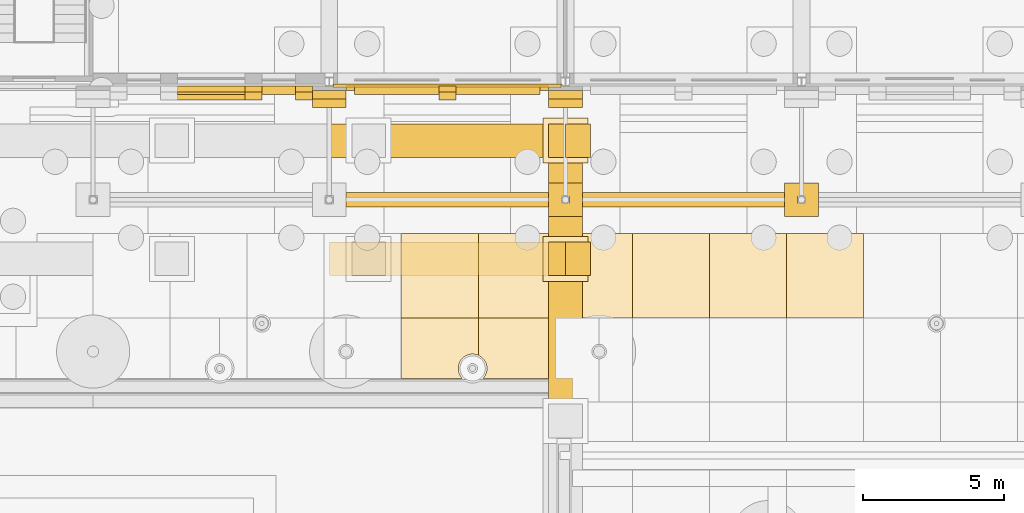
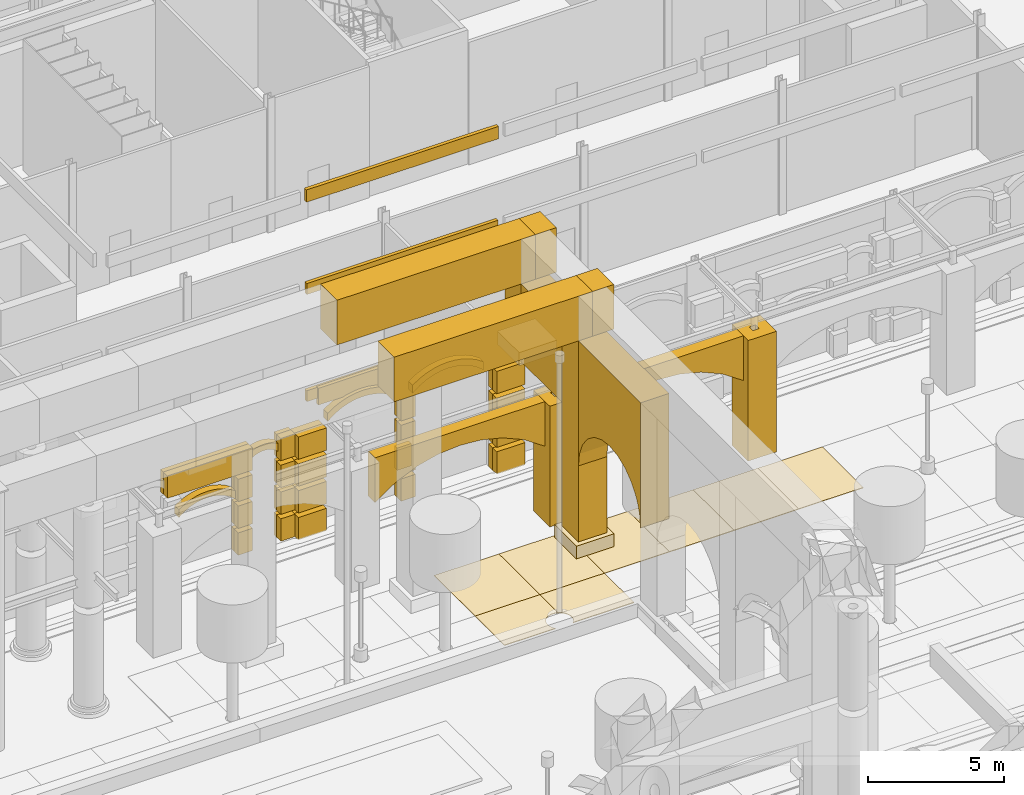
# One storey, part 133 of 222: 70 coverings.
"""IFC4 building model written with IfcOpenShell, lengths in metres."""

from ifc_helpers import new_model, si_unit, direction, frame, origin, origin_2d, place, context, subcontext, project, spatial, polyline, rectangle, hollow_rectangle, outline, extrude, material, layer, layer_set, material_profile, profile_set, type_object, element, save


model = new_model("IFC4")

# Units and contexts
model_context = context("Model", 3, precision=1e-05, world=origin(), true_north=direction((0.0, 1.0)))
body_context = subcontext(model_context, "Body", "Model", "MODEL_VIEW")
ifc_project = project(units=[si_unit("LENGTHUNIT", "METRE"), si_unit("AREAUNIT", "SQUARE_METRE"), si_unit("VOLUMEUNIT", "CUBIC_METRE"), si_unit("PLANEANGLEUNIT", "RADIAN"), si_unit("MASSUNIT", "GRAM", prefix="KILO")], contexts=[model_context])

# Site, building, storey
site_placement = place(None, origin())
site = spatial("IfcSite", under=ifc_project, at=site_placement, CompositionType="ELEMENT")
building_placement = place(site_placement, origin())
building = spatial("IfcBuilding", under=site, at=building_placement, Name="Sava Quay Ferry Terminal", CompositionType="ELEMENT")
storey_placement = place(building_placement, origin())
storey = spatial("IfcBuildingStorey", under=building, at=storey_placement, Name="L00", CompositionType="ELEMENT", Elevation=0.0)

# Coverings
ifc_material_1 = material(Name="Limestone Mutalj ashlar", Category="masonry")
ifc_material_profile = material_profile(ifc_material_1, hollow_rectangle(XDim=1.199951171875, YDim=1.199951171875, WallThickness=0.462890625, at=origin_2d()), Name="Arcade pier 1200")
ifc_profile_set = profile_set([ifc_material_profile], Name="Limestone Mutalj ashlar")
covering_type_1 = type_object("IfcCoveringType", Name="Arcade pier 1200", PredefinedType="CLADDING", material=ifc_profile_set)
for number, where, z_axis, x_axis, name in (
    (1, (100.800048828125, 21.0, 0.0), (0.0, 0.0, 1.0), (1.0, 0.0, 0.0), "Arcade pier"),
    (2, (109.199951171875, 21.0, 0.0), (0.0, 0.0, 1.0), (1.0, 0.0, 0.0), "Arcade pier"),
):
    element("IfcCovering", number, at=place(storey_placement, frame(where, z_axis=z_axis, x_axis=x_axis)), inside=storey, type_object=covering_type_1, Name=name, PredefinedType="CLADDING", context=body_context, shape_type="SweptSolid", body=[
        extrude(hollow_rectangle(XDim=1.199951171875, YDim=1.199951171875, WallThickness=0.462890625, at=origin_2d()), origin(), (0.0, 0.0, 1.0), 5.39990234375),
    ])
ifc_material_2 = material(Name="Limestone Mutalj", Category="masonry")
ifc_layer_1 = layer(ifc_material_2, 0.300048828125)
ifc_layer_set_1 = layer_set([ifc_layer_1], Name="Limestone Mutalj")
covering_type_2 = type_object("IfcCoveringType", Name="Arch band 280", PredefinedType="MOLDING", material=ifc_layer_set_1)
covering_1_placement = place(storey_placement, frame((87.0, 24.739990234375, 2.39990234375), z_axis=(0.0, -1.0, 0.0), x_axis=(0.781799047793, 0.0, 0.623530471485)))
element("IfcCovering", 3, at=covering_1_placement, inside=storey, type_object=covering_type_2, Name="Arch band", PredefinedType="MOLDING", context=body_context, shape_type="SweptSolid", body=[
    extrude(outline(polyline([(0.0, 0.0), (0.30697176602161635, 0.0), (0.5774085434796663, -0.04580853795661438), (0.820139621277012, -0.12635521719699466), (1.0394274147460691, -0.23629570829286917), (1.237403131553046, -0.37295784653010206), (1.4146756881740021, -0.5355781562760831), (1.5706361681328775, -0.7249201131634224), (1.7031533637634648, -0.9436558819062563), (1.8079648597333475, -1.1971297919328558), (1.876241367139664, -1.4964122399160698), (2.103823900066879, -1.2110632222279927), (2.011190733618185, -0.9423197995491883), (1.8922219295799203, -0.7065966979807768), (1.751179903284501, -0.49854958809448635), (1.5908047788741946, -0.31474282954357125), (1.41200993106309, -0.1540312088791158), (1.2155565054462616, -0.015460381560357339), (1.0006833564286355, 0.1000153078719414), (0.766477109296122, 0.19125064596886504), (0.5101976399064538, 0.2548099923836675), (0.2275825329272151, 0.2853490176880771), (0.0, 0.0)])), origin(), (0.0, 0.0, -1.0), 0.300048828125),
])
covering_2_placement = place(storey_placement, frame((90.0, 24.739990234375, 3.89990234375), z_axis=(0.0, -1.0, 0.0), x_axis=(0.766686318179, 0.0, 0.642021876199)))
element("IfcCovering", 4, at=covering_2_placement, inside=storey, type_object=covering_type_2, Name="Arch band", PredefinedType="MOLDING", context=body_context, shape_type="SweptSolid", body=[
    extrude(outline(polyline([(0.0, 0.0), (0.15667057654730215, -1.3877787807814457e-17), (0.29293404656438327, -0.02398938309786766), (0.414337308134961, -0.06610472040016957), (0.5230139006591377, -0.1230376562322823), (0.6205921316676617, -0.19360424362325043), (0.7070111298509724, -0.2771166367750381), (0.7823317665186302, -0.3742626814856812), (0.844925734139887, -0.48622632472613514), (0.8926594933146406, -0.6163159221710233), (0.919986145959173, -0.7703949027137791), (1.1489885778747033, -0.49692597916416525), (1.0994043308893047, -0.3694264559410845), (1.0383473638344554, -0.2552470970326215), (0.9677594714851411, -0.1528295969140227), (0.8882067570202763, -0.06073739267965583), (0.8003770662378966, 0.021090386980039788), (0.7042095278284416, 0.09334158786309998), (0.5997650131014718, 0.15532836417148896), (0.4863556762589516, 0.20698984459564596), (0.3634154141219664, 0.2468894662299388), (0.22900243191553027, 0.27346892354961383), (0.0, 0.0)])), origin(), (0.0, 0.0, -1.0), 0.300048828125),
])
covering_3_placement = place(storey_placement, frame((93.300048828125, 24.739990234375, 4.5), z_axis=(0.0, -1.0, 0.0), x_axis=(0.782171011383, 0.0, 0.623063808091)))
element("IfcCovering", 5, at=covering_3_placement, inside=storey, type_object=covering_type_2, Name="Arch band", PredefinedType="MOLDING", context=body_context, shape_type="SweptSolid", body=[
    extrude(outline(polyline([(0.0, 0.0), (0.38361026394291897, 0.0), (0.7215471270971323, -0.056944840965655), (1.0251448024033882, -0.15738965346254868), (1.2993842465178647, -0.29468969183758004), (1.5471556480034832, -0.4652167214188082), (1.768763237235288, -0.6685888227670815), (1.9637118241186586, -0.9050358001340293), (2.1294931395298256, -1.178490118566637), (2.2607443073734594, -1.4952922933429613), (2.3465130341479634, -1.8691914242724625), (2.5760548521189226, -1.5810332074325149), (2.4648828890282157, -1.2390243496721793), (2.318876547994931, -0.9407452676947119), (2.144424666895, -0.6781756532779273), (1.9447605091984421, -0.4476484272178306), (1.7214796529038934, -0.24637688278489167), (1.475381518481019, -0.07374929628832916), (1.2058576451797298, 0.06947049339355327), (0.9109305355622378, 0.18080000990627), (0.5877488455976752, 0.2562679436707819), (0.22954181797095916, 0.2881582168399477), (0.0, 0.0)])), origin(), (0.0, 0.0, -1.0), 0.300048828125),
])
covering_4_placement = place(storey_placement, frame((96.89990234375, 24.739990234375, 4.5), z_axis=(0.0, -1.0, 0.0), x_axis=(0.782171011383, 0.0, 0.623063808091)))
element("IfcCovering", 6, at=covering_4_placement, inside=storey, type_object=covering_type_2, Name="Arch band", PredefinedType="MOLDING", context=body_context, shape_type="SweptSolid", body=[
    extrude(outline(polyline([(0.0, 0.0), (0.38361026394291897, 0.0), (0.7217380868167081, -0.05709695615317717), (1.025335762122964, -0.1575417686500708), (1.2995752062374406, -0.29484180702510226), (1.5471556480034832, -0.4652167214188082), (1.768763237235288, -0.6685888227670815), (1.9639027838382344, -0.9051879153215514), (2.1296840992494017, -1.178642233754159), (2.260935267093035, -1.4954444085304834), (2.3465130341479634, -1.8691914242724625), (2.5760548521189226, -1.5810332074325149), (2.4650738487477915, -1.2391764648597015), (2.3190675077145073, -0.9408973828822342), (2.144615626614576, -0.6783277684654494), (1.9447605091984421, -0.4476484272178306), (1.7214796529038934, -0.24637688278489167), (1.4755724782005948, -0.07390141147585139), (1.2060486048993058, 0.06931837820603115), (0.9111214952818136, 0.18064789471874781), (0.5877488455976752, 0.2562679436707819), (0.22954181797095916, 0.2881582168399477), (0.0, 0.0)])), origin(), (0.0, 0.0, -1.0), 0.300048828125),
])
ifc_material_3 = material(Name="Limestone Mutalj", Category="masonry")
ifc_layer_2 = layer(ifc_material_3, 0.5)
ifc_layer_set_2 = layer_set([ifc_layer_2], Name="Limestone Mutalj")
covering_type_3 = type_object("IfcCoveringType", Name="Arch spandrel 500", PredefinedType="CLADDING", material=ifc_layer_set_2)
covering_5_placement = place(storey_placement, frame((93.0, 20.75, 3.39990234375), z_axis=(0.0, -1.0, 0.0), x_axis=(0.827289511466, 0.0, 0.561775813131)))
element("IfcCovering", 7, at=covering_5_placement, inside=storey, type_object=covering_type_3, Name="Arch spandrel", PredefinedType="CLADDING", context=body_context, shape_type="SweptSolid", body=[
    extrude(outline(polyline([(0.0, 0.0), (1.0877719725412898, 0.0), (2.0536803747274233, -0.17989488306098533), (2.92338019324587, -0.5010350986935066), (3.7086590187979875, -0.9469310282878445), (4.412541708880196, -1.5122589927881132), (5.031801431017692, -2.202205518952071), (5.555256519444271, -3.0336716822838197), (5.956444087558922, -4.044758424080299), (7.079995713820012, -2.3901794011484654), (1.12355162626109, 1.6545790229318331), (0.0, 0.0)])), origin(), (0.0, 0.0, -1.0), 0.5),
])
covering_6_placement = place(storey_placement, frame((101.39990234375, 20.75, 3.39990234375), z_axis=(0.0, -1.0, 0.0), x_axis=(0.82736032354, 0.0, 0.561671518801)))
element("IfcCovering", 8, at=covering_6_placement, inside=storey, type_object=covering_type_3, Name="Arch spandrel", PredefinedType="CLADDING", context=body_context, shape_type="SweptSolid", body=[
    extrude(outline(polyline([(0.0, 0.0), (1.0879739561645294, 0.0), (2.0537030363386926, -0.1796359903397191), (2.9236453238279805, -0.500803694057504), (3.7087783614579344, -0.9464634993634635), (4.412732312386162, -1.5117027264310134), (5.0322809979880345, -2.2017083087580276), (5.555638906372053, -3.032971350791818), (5.957155923298685, -4.044144636836617), (7.080498960900935, -2.3894239897573137), (1.1233430376022504, 1.6547206470793037), (0.0, 0.0)])), origin(), (0.0, 0.0, -1.0), 0.5),
])
ifc_material_4 = material(Name="Limestone Mutalj", Category="masonry")
ifc_layer_3 = layer(ifc_material_4, 0.030029296875)
ifc_layer_set_3 = layer_set([ifc_layer_3], Name="Limestone Mutalj")
covering_type_4 = type_object("IfcCoveringType", Name="Court paving tile 30", PredefinedType="FLOORING", material=ifc_layer_set_3)
covering_7_placement = place(storey_placement, origin())
element("IfcCovering", 9, at=covering_7_placement, inside=storey, type_object=covering_type_4, Name="Limestone paving tile", PredefinedType="FLOORING", context=body_context, shape_type="SweptSolid", body=[
    extrude(outline(polyline([(100.43994140625, 16.800048828125), (100.43994140625, 19.800048828125), (97.699951171875, 19.800048828125), (97.699951171875, 16.800048828125), (100.43994140625, 16.800048828125)])), origin(), (0.0, 0.0, 1.0), 0.030029296875),
])
covering_8_placement = place(storey_placement, origin())
element("IfcCovering", 10, at=covering_8_placement, inside=storey, type_object=covering_type_4, Name="Limestone paving tile", PredefinedType="FLOORING", context=body_context, shape_type="SweptSolid", body=[
    extrude(outline(polyline([(105.919921875, 16.800048828125), (105.919921875, 19.800048828125), (103.179931640625, 19.800048828125), (103.179931640625, 16.800048828125), (105.919921875, 16.800048828125)])), origin(), (0.0, 0.0, 1.0), 0.030029296875),
])
covering_9_placement = place(storey_placement, origin())
element("IfcCovering", 11, at=covering_9_placement, inside=storey, type_object=covering_type_4, Name="Limestone paving tile", PredefinedType="FLOORING", context=body_context, shape_type="SweptSolid", body=[
    extrude(outline(polyline([(111.39990234375, 16.800048828125), (111.39990234375, 19.800048828125), (108.659912109375, 19.800048828125), (108.659912109375, 16.800048828125), (111.39990234375, 16.800048828125)])), origin(), (0.0, 0.0, 1.0), 0.030029296875),
])
covering_10_placement = place(storey_placement, origin())
element("IfcCovering", 12, at=covering_10_placement, inside=storey, type_object=covering_type_4, Name="Limestone paving tile", PredefinedType="FLOORING", context=body_context, shape_type="SweptSolid", body=[
    extrude(outline(polyline([(94.9599609375, 16.800048828125), (94.9599609375, 14.64990234375), (97.1298828125, 14.64990234375), (97.10595703125, 14.676025390625), (97.075927734375, 14.716064453125), (97.050048828125, 14.760009765625), (97.029052734375, 14.803955078125), (97.011962890625, 14.85107421875), (97.0, 14.89990234375), (96.992919921875, 14.949951171875), (96.989990234375, 15.0), (96.992919921875, 15.050048828125), (97.0, 15.09912109375), (97.011962890625, 15.14794921875), (97.029052734375, 15.196044921875), (97.050048828125, 15.240966796875), (97.075927734375, 15.283935546875), (97.10595703125, 15.323974609375), (97.138916015625, 15.360107421875), (97.177001953125, 15.39501953125), (97.217041015625, 15.424072265625), (97.260009765625, 15.449951171875), (97.303955078125, 15.470947265625), (97.35107421875, 15.488037109375), (97.39990234375, 15.5), (97.450927734375, 15.508056640625), (97.5, 15.510009765625), (97.550048828125, 15.507080078125), (97.59912109375, 15.5), (97.64892578125, 15.488037109375), (97.699951171875, 15.468994140625), (97.699951171875, 16.800048828125), (94.9599609375, 16.800048828125)])), origin(), (0.0, 0.0, 1.0), 0.030029296875),
])
ifc_material_5 = material(Name="Red sandstone Vrsac", Category="masonry")
ifc_layer_4 = layer(ifc_material_5, 0.030029296875)
ifc_layer_set_4 = layer_set([ifc_layer_4], Name="Red sandstone Vrsac")
covering_type_5 = type_object("IfcCoveringType", Name="Court paving tile sandstone 30", PredefinedType="FLOORING", material=ifc_layer_set_4)
covering_11_placement = place(storey_placement, origin())
element("IfcCovering", 13, at=covering_11_placement, inside=storey, type_object=covering_type_5, Name="Sandstone paving tile", PredefinedType="FLOORING", context=body_context, shape_type="SweptSolid", body=[
    extrude(outline(polyline([(97.699951171875, 16.800048828125), (97.699951171875, 19.800048828125), (94.9599609375, 19.800048828125), (94.9599609375, 16.800048828125), (97.699951171875, 16.800048828125)])), origin(), (0.0, 0.0, 1.0), 0.030029296875),
])
covering_12_placement = place(storey_placement, origin())
element("IfcCovering", 14, at=covering_12_placement, inside=storey, type_object=covering_type_5, Name="Sandstone paving tile", PredefinedType="FLOORING", context=body_context, shape_type="SweptSolid", body=[
    extrude(outline(polyline([(103.179931640625, 16.800048828125), (103.179931640625, 19.800048828125), (100.43994140625, 19.800048828125), (100.43994140625, 16.800048828125), (103.179931640625, 16.800048828125)])), origin(), (0.0, 0.0, 1.0), 0.030029296875),
])
covering_13_placement = place(storey_placement, origin())
element("IfcCovering", 15, at=covering_13_placement, inside=storey, type_object=covering_type_5, Name="Sandstone paving tile", PredefinedType="FLOORING", context=body_context, shape_type="SweptSolid", body=[
    extrude(outline(polyline([(108.659912109375, 16.800048828125), (108.659912109375, 19.800048828125), (105.919921875, 19.800048828125), (105.919921875, 16.800048828125), (108.659912109375, 16.800048828125)])), origin(), (0.0, 0.0, 1.0), 0.030029296875),
])
covering_14_placement = place(storey_placement, origin())
element("IfcCovering", 16, at=covering_14_placement, inside=storey, type_object=covering_type_5, Name="Sandstone paving tile", PredefinedType="FLOORING", context=body_context, shape_type="SweptSolid", body=[
    extrude(outline(polyline([(100.43994140625, 16.800048828125), (97.699951171875, 16.800048828125), (97.699951171875, 15.468994140625), (97.740966796875, 15.449951171875), (97.782958984375, 15.424072265625), (97.823974609375, 15.39404296875), (97.861083984375, 15.360107421875), (97.89404296875, 15.323974609375), (97.924072265625, 15.282958984375), (97.949951171875, 15.239990234375), (97.970947265625, 15.196044921875), (97.988037109375, 15.14794921875), (98.0, 15.09912109375), (98.007080078125, 15.050048828125), (98.010009765625, 15.0), (98.007080078125, 14.949951171875), (98.0, 14.90087890625), (97.988037109375, 14.85107421875), (97.970947265625, 14.803955078125), (97.949951171875, 14.760009765625), (97.924072265625, 14.717041015625), (97.89404296875, 14.676025390625), (97.8701171875, 14.64990234375), (100.43994140625, 14.64990234375), (100.43994140625, 16.800048828125)])), origin(), (0.0, 0.0, 1.0), 0.030029296875),
])
ifc_material_6 = material(Name="Limestone Mutalj", Category="masonry")
ifc_layer_5 = layer(ifc_material_6, 0.14990234375)
ifc_layer_set_5 = layer_set([ifc_layer_5], Name="Limestone Mutalj")
covering_type_6 = type_object("IfcCoveringType", Name="Limestone string course 150", PredefinedType="CLADDING", material=ifc_layer_set_5)
covering_15_placement = place(storey_placement, frame((0.0, 0.0, 5.25)))
element("IfcCovering", 17, at=covering_15_placement, inside=storey, type_object=covering_type_6, Name="String course P-S", PredefinedType="CLADDING", context=body_context, shape_type="SweptSolid", body=[
    extrude(outline(polyline([(93.0, 25.0400390625), (100.199951171875, 25.0400390625), (100.199951171875, 24.889892578125), (93.0, 24.889892578125), (93.0, 25.0400390625)])), origin(), (0.0, 0.0, 1.0), 0.75),
])
ifc_material_7 = material(Name="Limestone Mutalj", Category="masonry")
ifc_layer_6 = layer(ifc_material_7, 2.0)
ifc_layer_set_6 = layer_set([ifc_layer_6], Name="Limestone Mutalj")
covering_type_7 = type_object("IfcCoveringType", Name="Portico entablature 2000", PredefinedType="CLADDING", material=ifc_layer_set_6)
covering_16_placement = place(storey_placement, frame((96.60009765625, 18.89990234375, 9.60009765625), z_axis=(0.0, 0.0, 1.0), x_axis=(1.0, 0.0, 0.0)))
element("IfcCovering", 18, at=covering_16_placement, inside=storey, type_object=covering_type_7, Name="Portico entablature", PredefinedType="CLADDING", context=body_context, shape_type="SweptSolid", body=[
    extrude(rectangle(XDim=8.39990234375, YDim=1.199951171875, at=origin_2d()), origin(), (0.0, 0.0, 1.0), 2.0),
])
covering_17_placement = place(storey_placement, frame((101.25, 18.89990234375, 9.60009765625), z_axis=(0.0, 0.0, 1.0), x_axis=(1.0, 0.0, 0.0)))
element("IfcCovering", 19, at=covering_17_placement, inside=storey, type_object=covering_type_7, Name="Portico entablature", PredefinedType="CLADDING", context=body_context, shape_type="SweptSolid", body=[
    extrude(rectangle(XDim=0.89990234375, YDim=1.199951171875, at=origin_2d()), origin(), (0.0, 0.0, 1.0), 2.0),
])
covering_18_placement = place(storey_placement, frame((96.60009765625, 23.10009765625, 9.60009765625), z_axis=(0.0, 0.0, 1.0), x_axis=(1.0, 0.0, 0.0)))
element("IfcCovering", 20, at=covering_18_placement, inside=storey, type_object=covering_type_7, Name="Portico entablature", PredefinedType="CLADDING", context=body_context, shape_type="SweptSolid", body=[
    extrude(rectangle(XDim=8.39990234375, YDim=1.199951171875, at=origin_2d()), origin(), (0.0, 0.0, 1.0), 2.0),
])
covering_19_placement = place(storey_placement, frame((101.25, 23.10009765625, 9.60009765625), z_axis=(0.0, 0.0, 1.0), x_axis=(1.0, 0.0, 0.0)))
element("IfcCovering", 21, at=covering_19_placement, inside=storey, type_object=covering_type_7, Name="Portico entablature", PredefinedType="CLADDING", context=body_context, shape_type="SweptSolid", body=[
    extrude(rectangle(XDim=0.89990234375, YDim=1.199951171875, at=origin_2d()), origin(), (0.0, 0.0, 1.0), 2.0),
])
ifc_material_8 = material(Name="Limestone Mutalj", Category="masonry")
ifc_layer_7 = layer(ifc_material_8, 1.199951171875)
ifc_layer_set_7 = layer_set([ifc_layer_7], Name="Limestone Mutalj")
covering_type_8 = type_object("IfcCoveringType", Name="Return arcade spandrel 1200", PredefinedType="CLADDING", material=ifc_layer_set_7)
covering_20_placement = place(storey_placement, frame((100.199951171875, 13.7333984375, 4.0), z_axis=(-1.0, 0.0, 0.0), x_axis=(0.0, 0.0, 1.0)))
element("IfcCovering", 22, at=covering_20_placement, inside=storey, type_object=covering_type_8, Name="Return arcade spandrel", PredefinedType="CLADDING", context=body_context, shape_type="SweptSolid", body=[
    extrude(outline(polyline([(0.0, 0.0), (5.60009765625, 0.0), (5.60009765625, 4.566650390625), (0.0, 4.566650390625), (0.591064453125, 4.48876953125), (1.1416015625, 4.2607421875), (1.614501953125, 3.897705078125), (1.977294921875, 3.4248046875), (2.20556640625, 2.874267578125), (2.283203125, 2.283203125), (2.20556640625, 1.6923828125), (1.977294921875, 1.1416015625), (1.614501953125, 0.668701171875), (1.1416015625, 0.305908203125), (0.591064453125, 0.07763671875), (0.0, 0.0)])), origin(), (0.0, 0.0, -1.0), 1.199951171875),
])
covering_21_placement = place(storey_placement, frame((100.199951171875, 19.5, 6.1201171875), z_axis=(-1.0, 0.0, 0.0), x_axis=(0.0, 0.0, 1.0)))
element("IfcCovering", 23, at=covering_21_placement, inside=storey, type_object=covering_type_8, Name="Return arcade spandrel", PredefinedType="CLADDING", context=body_context, shape_type="SweptSolid", body=[
    extrude(outline(polyline([(0.0, 0.0), (3.47998046875, 0.0), (3.47998046875, 3.0), (0.0, 3.0), (0.0, 0.0)])), origin(), (0.0, 0.0, -1.0), 1.199951171875),
])
ifc_material_9 = material(Name="Limestone Mutalj", Category="masonry")
ifc_layer_8 = layer(ifc_material_9, 1.199951171875)
ifc_layer_set_8 = layer_set([ifc_layer_8], Name="Limestone Mutalj")
covering_type_9 = type_object("IfcCoveringType", Name="Return pier 1200", PredefinedType="CLADDING", material=ifc_layer_set_8)
covering_22_placement = place(storey_placement, frame((100.800048828125, 18.89990234375, 0.60009765625), z_axis=(0.0, 0.0, 1.0), x_axis=(1.0, 0.0, 0.0)))
element("IfcCovering", 24, at=covering_22_placement, inside=storey, type_object=covering_type_9, Name="Return pier", PredefinedType="CLADDING", context=body_context, shape_type="SweptSolid", body=[
    extrude(rectangle(XDim=1.199951171875, YDim=1.199951171875, at=origin_2d()), origin(), (0.0, 0.0, 1.0), 9.0),
])
covering_23_placement = place(storey_placement, frame((100.800048828125, 23.10009765625, 6.719970703125), z_axis=(0.0, 0.0, 1.0), x_axis=(1.0, 0.0, 0.0)))
element("IfcCovering", 25, at=covering_23_placement, inside=storey, type_object=covering_type_9, Name="Return pier", PredefinedType="CLADDING", context=body_context, shape_type="SweptSolid", body=[
    extrude(rectangle(XDim=1.199951171875, YDim=1.199951171875, at=origin_2d()), origin(), (0.0, 0.0, 1.0), 2.8798828125),
])
ifc_material_10 = material(Name="Limestone Mutalj", Category="masonry")
ifc_layer_9 = layer(ifc_material_10, 1.60009765625)
ifc_layer_set_9 = layer_set([ifc_layer_9], Name="Limestone Mutalj")
covering_type_10 = type_object("IfcCoveringType", Name="Return pier base 1600", PredefinedType="MOLDING", material=ifc_layer_set_9)
for number, where, z_axis, x_axis, name in (
    (26, (100.800048828125, 18.89990234375, 0.0), (0.0, 0.0, 1.0), (1.0, 0.0, 0.0), "Return pier base"),
    (27, (100.800048828125, 23.10009765625, 6.119873046875), (0.0, 0.0, 1.0), (1.0, 0.0, 0.0), "Return pier base"),
):
    element("IfcCovering", number, at=place(storey_placement, frame(where, z_axis=z_axis, x_axis=x_axis)), inside=storey, type_object=covering_type_10, Name=name, PredefinedType="MOLDING", context=body_context, shape_type="SweptSolid", body=[
        extrude(rectangle(XDim=1.60009765625, YDim=1.60009765625, at=origin_2d()), origin(), (0.0, 0.0, 1.0), 0.60009765625),
    ])
ifc_material_11 = material(Name="Limestone Mutalj", Category="masonry")
ifc_layer_10 = layer(ifc_material_11, 0.300048828125)
ifc_layer_set_10 = layer_set([ifc_layer_10], Name="Limestone Mutalj")
covering_type_11 = type_object("IfcCoveringType", Name="Rusticated course deepening 300", PredefinedType="CLADDING", material=ifc_layer_set_10)
for number, where, z_axis, x_axis, name in (
    (28, (100.800048828125, 24.43994140625, 0.0), (0.0, 0.0, 1.0), (1.0, 0.0, 0.0), "Rusticated course deepening"),
    (29, (100.800048828125, 24.43994140625, 1.199951171875), (0.0, 0.0, 1.0), (1.0, 0.0, 0.0), "Rusticated course deepening"),
    (30, (100.800048828125, 24.43994140625, 2.39990234375), (0.0, 0.0, 1.0), (1.0, 0.0, 0.0), "Rusticated course deepening"),
    (31, (100.800048828125, 24.43994140625, 3.60009765625), (0.0, 0.0, 1.0), (1.0, 0.0, 0.0), "Rusticated course deepening"),
    (32, (92.39990234375, 24.43994140625, 0.0), (0.0, 0.0, 1.0), (1.0, 0.0, 0.0), "Rusticated course deepening"),
    (33, (92.39990234375, 24.43994140625, 1.199951171875), (0.0, 0.0, 1.0), (1.0, 0.0, 0.0), "Rusticated course deepening"),
    (34, (92.39990234375, 24.43994140625, 2.39990234375), (0.0, 0.0, 1.0), (1.0, 0.0, 0.0), "Rusticated course deepening"),
    (35, (92.39990234375, 24.43994140625, 3.60009765625), (0.0, 0.0, 1.0), (1.0, 0.0, 0.0), "Rusticated course deepening"),
):
    element("IfcCovering", number, at=place(storey_placement, frame(where, z_axis=z_axis, x_axis=x_axis)), inside=storey, type_object=covering_type_11, Name=name, PredefinedType="CLADDING", context=body_context, shape_type="SweptSolid", body=[
        extrude(rectangle(XDim=1.199951171875, YDim=0.300048828125, at=origin_2d()), origin(), (0.0, 0.0, 1.0), 1.0),
    ])
for number, where, z_axis, x_axis, name in (
    (36, (89.699951171875, 24.68994140625, 0.0), (0.0, 0.0, 1.0), (1.0, 0.0, 0.0), "Rusticated course deepening"),
    (37, (91.5, 24.68994140625, 0.0), (0.0, 0.0, 1.0), (1.0, 0.0, 0.0), "Rusticated course deepening"),
    (38, (89.699951171875, 24.68994140625, 1.199951171875), (0.0, 0.0, 1.0), (1.0, 0.0, 0.0), "Rusticated course deepening"),
    (39, (91.5, 24.68994140625, 1.199951171875), (0.0, 0.0, 1.0), (1.0, 0.0, 0.0), "Rusticated course deepening"),
    (40, (89.699951171875, 24.68994140625, 2.39990234375), (0.0, 0.0, 1.0), (1.0, 0.0, 0.0), "Rusticated course deepening"),
    (41, (91.5, 24.68994140625, 2.39990234375), (0.0, 0.0, 1.0), (1.0, 0.0, 0.0), "Rusticated course deepening"),
):
    element("IfcCovering", number, at=place(storey_placement, frame(where, z_axis=z_axis, x_axis=x_axis)), inside=storey, type_object=covering_type_11, Name=name, PredefinedType="CLADDING", context=body_context, shape_type="SweptSolid", body=[
        extrude(rectangle(XDim=0.60009765625, YDim=0.300048828125, at=origin_2d()), origin(), (0.0, 0.0, 1.0), 1.0),
    ])
covering_24_placement = place(storey_placement, frame((88.199951171875, 24.68994140625, 3.60009765625), z_axis=(0.0, 0.0, 1.0), x_axis=(1.0, 0.0, 0.0)))
element("IfcCovering", 42, at=covering_24_placement, inside=storey, type_object=covering_type_11, Name="Rusticated course deepening", PredefinedType="CLADDING", context=body_context, shape_type="SweptSolid", body=[
    extrude(rectangle(XDim=3.60009765625, YDim=0.300048828125, at=origin_2d()), origin(), (0.0, 0.0, 1.0), 1.0),
])
for number, where, z_axis, x_axis, name in (
    (43, (91.5, 24.68994140625, 3.60009765625), (0.0, 0.0, 1.0), (1.0, 0.0, 0.0), "Rusticated course deepening"),
    (44, (96.60009765625, 24.68994140625, 0.0), (0.0, 0.0, 1.0), (1.0, 0.0, 0.0), "Rusticated course deepening"),
    (45, (96.60009765625, 24.68994140625, 1.199951171875), (0.0, 0.0, 1.0), (1.0, 0.0, 0.0), "Rusticated course deepening"),
    (46, (96.60009765625, 24.68994140625, 2.39990234375), (0.0, 0.0, 1.0), (1.0, 0.0, 0.0), "Rusticated course deepening"),
    (47, (96.60009765625, 24.68994140625, 3.60009765625), (0.0, 0.0, 1.0), (1.0, 0.0, 0.0), "Rusticated course deepening"),
):
    element("IfcCovering", number, at=place(storey_placement, frame(where, z_axis=z_axis, x_axis=x_axis)), inside=storey, type_object=covering_type_11, Name=name, PredefinedType="CLADDING", context=body_context, shape_type="SweptSolid", body=[
        extrude(rectangle(XDim=0.60009765625, YDim=0.300048828125, at=origin_2d()), origin(), (0.0, 0.0, 1.0), 1.0),
    ])
ifc_material_12 = material(Name="Limestone Mutalj", Category="masonry")
ifc_layer_11 = layer(ifc_material_12, 0.300048828125)
ifc_layer_set_11 = layer_set([ifc_layer_11], Name="Limestone Mutalj")
covering_type_12 = type_object("IfcCoveringType", Name="Rusticated pier course 300", PredefinedType="CLADDING", material=ifc_layer_set_11)
for number, where, z_axis, x_axis, name in (
    (48, (92.39990234375, 24.739990234375, 0.0), (0.0, 0.0, 1.0), (1.0, 0.0, 0.0), "Rusticated pier course"),
    (49, (92.39990234375, 24.739990234375, 1.199951171875), (0.0, 0.0, 1.0), (1.0, 0.0, 0.0), "Rusticated pier course"),
    (50, (92.39990234375, 24.739990234375, 2.39990234375), (0.0, 0.0, 1.0), (1.0, 0.0, 0.0), "Rusticated pier course"),
    (51, (92.39990234375, 24.739990234375, 3.60009765625), (0.0, 0.0, 1.0), (1.0, 0.0, 0.0), "Rusticated pier course"),
    (52, (100.800048828125, 24.739990234375, 0.0), (0.0, 0.0, 1.0), (1.0, 0.0, 0.0), "Rusticated pier course"),
    (53, (100.800048828125, 24.739990234375, 1.199951171875), (0.0, 0.0, 1.0), (1.0, 0.0, 0.0), "Rusticated pier course"),
    (54, (100.800048828125, 24.739990234375, 2.39990234375), (0.0, 0.0, 1.0), (1.0, 0.0, 0.0), "Rusticated pier course"),
    (55, (100.800048828125, 24.739990234375, 3.60009765625), (0.0, 0.0, 1.0), (1.0, 0.0, 0.0), "Rusticated pier course"),
):
    element("IfcCovering", number, at=place(storey_placement, frame(where, z_axis=z_axis, x_axis=x_axis)), inside=storey, type_object=covering_type_12, Name=name, PredefinedType="CLADDING", context=body_context, shape_type="SweptSolid", body=[
        extrude(rectangle(XDim=1.199951171875, YDim=0.300048828125, at=origin_2d()), origin(), (0.0, 0.0, 1.0), 1.0),
    ])
ifc_material_13 = material(Name="Limestone Mutalj", Category="masonry")
ifc_layer_12 = layer(ifc_material_13, 0.199951171875)
ifc_layer_set_12 = layer_set([ifc_layer_12], Name="Limestone Mutalj")
covering_type_13 = type_object("IfcCoveringType", Name="Rusticated wall course 200", PredefinedType="CLADDING", material=ifc_layer_set_12)
for number, where, z_axis, x_axis, name in (
    (56, (89.699951171875, 24.93994140625, 0.0), (0.0, 0.0, 1.0), (1.0, 0.0, 0.0), "Rusticated wall course"),
    (57, (91.5, 24.93994140625, 0.0), (0.0, 0.0, 1.0), (1.0, 0.0, 0.0), "Rusticated wall course"),
    (58, (89.699951171875, 24.93994140625, 1.199951171875), (0.0, 0.0, 1.0), (1.0, 0.0, 0.0), "Rusticated wall course"),
    (59, (91.5, 24.93994140625, 1.199951171875), (0.0, 0.0, 1.0), (1.0, 0.0, 0.0), "Rusticated wall course"),
    (60, (89.699951171875, 24.93994140625, 2.39990234375), (0.0, 0.0, 1.0), (1.0, 0.0, 0.0), "Rusticated wall course"),
    (61, (91.5, 24.93994140625, 2.39990234375), (0.0, 0.0, 1.0), (1.0, 0.0, 0.0), "Rusticated wall course"),
):
    element("IfcCovering", number, at=place(storey_placement, frame(where, z_axis=z_axis, x_axis=x_axis)), inside=storey, type_object=covering_type_13, Name=name, PredefinedType="CLADDING", context=body_context, shape_type="SweptSolid", body=[
        extrude(rectangle(XDim=0.60009765625, YDim=0.199951171875, at=origin_2d()), origin(), (0.0, 0.0, 1.0), 1.0),
    ])
covering_25_placement = place(storey_placement, frame((88.199951171875, 24.93994140625, 3.60009765625), z_axis=(0.0, 0.0, 1.0), x_axis=(1.0, 0.0, 0.0)))
element("IfcCovering", 62, at=covering_25_placement, inside=storey, type_object=covering_type_13, Name="Rusticated wall course", PredefinedType="CLADDING", context=body_context, shape_type="SweptSolid", body=[
    extrude(rectangle(XDim=3.60009765625, YDim=0.199951171875, at=origin_2d()), origin(), (0.0, 0.0, 1.0), 1.0),
])
for number, where, z_axis, x_axis, name in (
    (63, (91.5, 24.93994140625, 3.60009765625), (0.0, 0.0, 1.0), (1.0, 0.0, 0.0), "Rusticated wall course"),
    (64, (96.60009765625, 24.93994140625, 0.0), (0.0, 0.0, 1.0), (1.0, 0.0, 0.0), "Rusticated wall course"),
    (65, (96.60009765625, 24.93994140625, 1.199951171875), (0.0, 0.0, 1.0), (1.0, 0.0, 0.0), "Rusticated wall course"),
    (66, (96.60009765625, 24.93994140625, 2.39990234375), (0.0, 0.0, 1.0), (1.0, 0.0, 0.0), "Rusticated wall course"),
    (67, (96.60009765625, 24.93994140625, 3.60009765625), (0.0, 0.0, 1.0), (1.0, 0.0, 0.0), "Rusticated wall course"),
):
    element("IfcCovering", number, at=place(storey_placement, frame(where, z_axis=z_axis, x_axis=x_axis)), inside=storey, type_object=covering_type_13, Name=name, PredefinedType="CLADDING", context=body_context, shape_type="SweptSolid", body=[
        extrude(rectangle(XDim=0.60009765625, YDim=0.199951171875, at=origin_2d()), origin(), (0.0, 0.0, 1.0), 1.0),
    ])
ifc_material_14 = material(Name="Limestone Mutalj", Category="masonry")
ifc_layer_13 = layer(ifc_material_14, 0.14990234375)
ifc_layer_set_13 = layer_set([ifc_layer_13], Name="Limestone Mutalj")
covering_type_14 = type_object("IfcCoveringType", Name="Slab edge fascia 150", PredefinedType="CLADDING", material=ifc_layer_set_13)
for number, where, name in (
    (68, (0.0, 0.0, 5.510009765625), "Slab edge fascia"),
    (69, (0.0, 0.0, 10.31005859375), "Slab edge fascia"),
):
    element("IfcCovering", number, at=place(storey_placement, frame(where)), inside=storey, type_object=covering_type_14, Name=name, PredefinedType="CLADDING", context=body_context, shape_type="SweptSolid", body=[
        extrude(outline(polyline([(100.64990234375, 25.116943359375), (92.550048828125, 25.116943359375), (92.550048828125, 24.967041015625), (100.64990234375, 24.967041015625), (100.64990234375, 25.116943359375)])), origin(), (0.0, 0.0, 1.0), 0.489990234375),
    ])
covering_26_placement = place(storey_placement, frame((0.0, 0.0, 14.449951171875)))
element("IfcCovering", 70, at=covering_26_placement, inside=storey, type_object=covering_type_14, Name="Slab edge fascia", PredefinedType="CLADDING", context=body_context, shape_type="SweptSolid", body=[
    extrude(outline(polyline([(100.669921875, 25.112060546875), (92.530029296875, 25.112060546875), (92.530029296875, 24.9619140625), (100.669921875, 24.9619140625), (100.669921875, 25.112060546875)])), origin(), (0.0, 0.0, 1.0), 0.550048828125),
])

save(model, "model.ifc")
